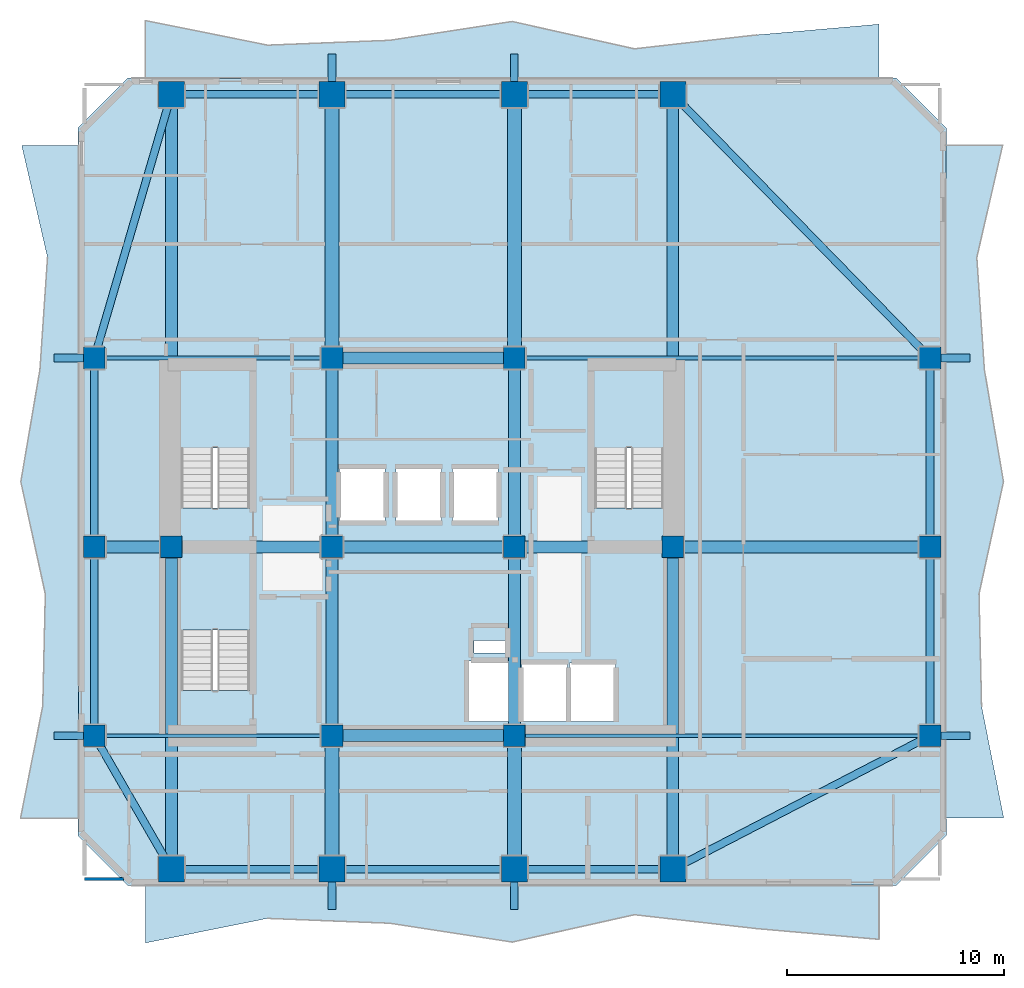
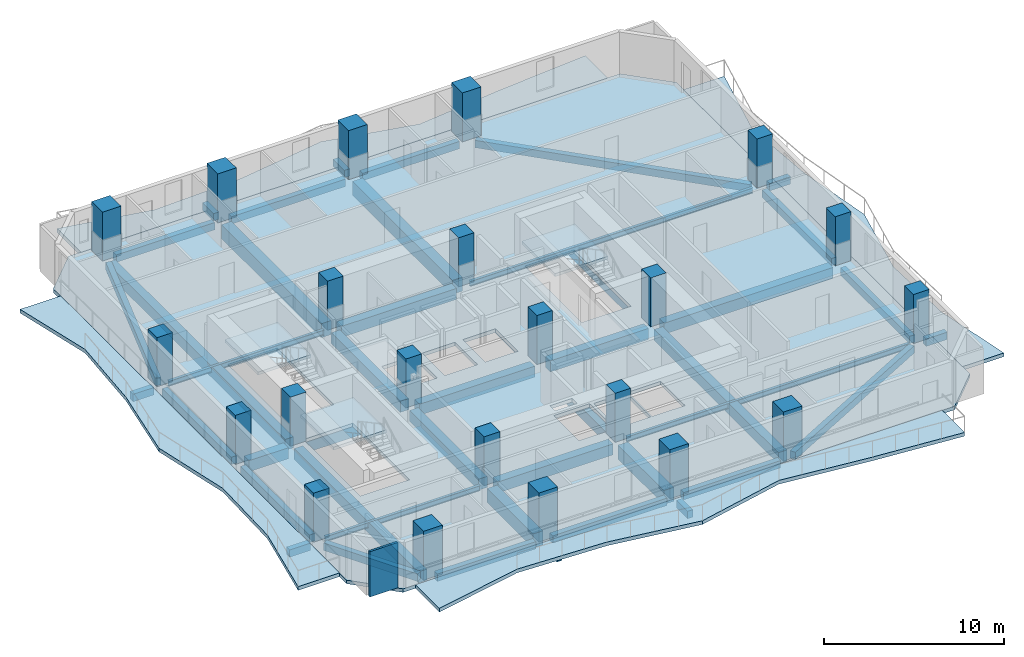
# One storey, part 1 of 9: 45 beams, 22 columns, 8 slabs, 1 wall, 3 elements without a shape of their own.
"""IFC4 building model written with IfcOpenShell, lengths in metres."""

from ifc_helpers import new_model, si_unit, direction, frame, frame_2d, origin, origin_2d, place, context, subcontext, project, spatial, polyline, rectangle, i_section, outline, extrude, material, layer, layer_set, material_profile, profile_set, type_object, element, aggregate, save


model = new_model("IFC4")

# Units and contexts
model_context = context("Model", 3, precision=1e-05, world=origin(), true_north=direction((0.0, 1.0)))
body_context = subcontext(model_context, "Body", "Model", "MODEL_VIEW")
ifc_project = project(units=[si_unit("LENGTHUNIT", "METRE"), si_unit("AREAUNIT", "SQUARE_METRE"), si_unit("VOLUMEUNIT", "CUBIC_METRE"), si_unit("PLANEANGLEUNIT", "RADIAN"), si_unit("MASSUNIT", "GRAM", prefix="KILO")], contexts=[model_context])

# Site, building, storey
site_placement = place(None, origin())
site = spatial("IfcSite", under=ifc_project, at=site_placement, CompositionType="ELEMENT")
building_placement = place(site_placement, origin())
building = spatial("IfcBuilding", under=site, at=building_placement, Name="Solanera Arch Residences", CompositionType="ELEMENT")
storey_placement = place(building_placement, frame((0.0, 0.0, 155.8798828125)))
storey = spatial("IfcBuildingStorey", under=building, at=storey_placement, Name="L45", CompositionType="ELEMENT", Elevation=155.8798828125)

# Columns
ifc_material_1 = material(Name="Concrete C55/67 (f'c = 60 MPa)", Category="concrete")
ifc_material_profile_1 = material_profile(ifc_material_1, rectangle(XDim=1.0, YDim=1.0, at=origin_2d()))
ifc_profile_set_1 = profile_set([ifc_material_profile_1], Name="Concrete C55/67 (f'c = 60 MPa)")
column_type_1 = type_object("IfcColumnType", Name="Structural Column RC-COL-1000X1000", PredefinedType="COLUMN", material=ifc_profile_set_1)
for number, where, z_axis, x_axis, name in (
    (1, (20.800048828125, 22.0, 0.0), (0.0, 0.0, 1.0), (1.0, 0.0, 0.0), "COL-L45-CB-SW"),
    (2, (29.199951171875, 22.0, 0.0), (0.0, 0.0, 1.0), (1.0, 0.0, 0.0), "COL-L45-CB-SE"),
    (3, (20.800048828125, 39.39990234375, 0.0), (0.0, 0.0, 1.0), (1.0, 0.0, 0.0), "COL-L45-CB-NW"),
    (4, (29.199951171875, 39.39990234375, 0.0), (0.0, 0.0, 1.0), (1.0, 0.0, 0.0), "COL-L45-CB-NE"),
    (5, (13.39990234375, 30.699951171875, 0.0), (0.0, 0.0, 1.0), (1.0, 0.0, 0.0), "COL-L45-CB-WW"),
    (6, (36.5, 30.699951171875, 0.0), (0.0, 0.0, 1.0), (1.0, 0.0, 0.0), "COL-L45-CB-EE"),
    (7, (20.800048828125, 30.699951171875, 0.0), (0.0, 0.0, 1.0), (1.0, 0.0, 0.0), "COL-L45-CORE-W"),
    (8, (29.199951171875, 30.699951171875, 0.0), (0.0, 0.0, 1.0), (1.0, 0.0, 0.0), "COL-L45-CORE-E"),
    (9, (9.85009765625, 22.0, 0.0), (0.0, 0.0, 1.0), (1.0, 0.0, 0.0), "COL-L45-TWR-09"),
    (10, (48.35009765625, 22.0, 0.0), (0.0, 0.0, 1.0), (1.0, 0.0, 0.0), "COL-L45-TWR-10"),
    (11, (9.85009765625, 30.699951171875, 0.0), (0.0, 0.0, 1.0), (1.0, 0.0, 0.0), "COL-L45-TWR-11"),
    (12, (48.35009765625, 30.699951171875, 0.0), (0.0, 0.0, 1.0), (1.0, 0.0, 0.0), "COL-L45-TWR-12"),
    (13, (9.85009765625, 39.39990234375, 0.0), (0.0, 0.0, 1.0), (1.0, 0.0, 0.0), "COL-L45-TWR-13"),
    (14, (48.35009765625, 39.39990234375, 0.0), (0.0, 0.0, 1.0), (1.0, 0.0, 0.0), "COL-L45-TWR-14"),
):
    element("IfcColumn", number, at=place(storey_placement, frame(where, z_axis=z_axis, x_axis=x_axis)), inside=storey, type_object=column_type_1, Name=name, PredefinedType="COLUMN", context=body_context, shape_type="SweptSolid", body=[
        extrude(rectangle(XDim=1.0, YDim=1.0, at=origin_2d()), origin(), (0.0, 0.0, 1.0), 3.320068359375),
    ])
ifc_material_2 = material(Name="Concrete C55/67 (f'c = 60 MPa)", Category="concrete")
ifc_material_profile_2 = material_profile(ifc_material_2, rectangle(XDim=1.199951171875, YDim=1.199951171875, at=origin_2d()))
ifc_profile_set_2 = profile_set([ifc_material_profile_2], Name="Concrete C55/67 (f'c = 60 MPa)")
column_type_2 = type_object("IfcColumnType", Name="Structural Column RC-COL-1200X1200", PredefinedType="COLUMN", material=ifc_profile_set_2)
for number, where, z_axis, x_axis, name in (
    (15, (13.39990234375, 15.85009765625, 0.0), (0.0, 0.0, 1.0), (1.0, 0.0, 0.0), "COL-L45-TWR-01"),
    (16, (13.39990234375, 51.550048828125, 0.0), (0.0, 0.0, 1.0), (1.0, 0.0, 0.0), "COL-L45-TWR-02"),
    (17, (20.800048828125, 15.85009765625, 0.0), (0.0, 0.0, 1.0), (1.0, 0.0, 0.0), "COL-L45-TWR-03"),
    (18, (20.800048828125, 51.550048828125, 0.0), (0.0, 0.0, 1.0), (1.0, 0.0, 0.0), "COL-L45-TWR-04"),
    (19, (29.199951171875, 15.85009765625, 0.0), (0.0, 0.0, 1.0), (1.0, 0.0, 0.0), "COL-L45-TWR-05"),
    (20, (29.199951171875, 51.550048828125, 0.0), (0.0, 0.0, 1.0), (1.0, 0.0, 0.0), "COL-L45-TWR-06"),
    (21, (36.5, 15.85009765625, 0.0), (0.0, 0.0, 1.0), (1.0, 0.0, 0.0), "COL-L45-TWR-07"),
    (22, (36.5, 51.550048828125, 0.0), (0.0, 0.0, 1.0), (1.0, 0.0, 0.0), "COL-L45-TWR-08"),
):
    element("IfcColumn", number, at=place(storey_placement, frame(where, z_axis=z_axis, x_axis=x_axis)), inside=storey, type_object=column_type_2, Name=name, PredefinedType="COLUMN", context=body_context, shape_type="SweptSolid", body=[
        extrude(rectangle(XDim=1.199951171875, YDim=1.199951171875, at=origin_2d()), origin(), (0.0, 0.0, 1.0), 3.320068359375),
    ])

# Beams
ifc_material_3 = material(Name="Concrete C40/50 (f'c = 45 MPa)", Category="concrete")
ifc_material_profile_3 = material_profile(ifc_material_3, rectangle(XDim=0.35009765625, YDim=0.5, at=origin_2d()))
ifc_profile_set_3 = profile_set([ifc_material_profile_3], Name="Concrete C40/50 (f'c = 45 MPa)")
beam_type_1 = type_object("IfcBeamType", Name="BM-BALC-RIB", PredefinedType="BEAM", material=ifc_profile_set_3)
for number, where, z_axis, x_axis, name in (
    (23, (20.800048828125, 14.0, -0.5), (0.0, 1.0, 0.0), (-1.0, 0.0, 0.0), "BM-L45-BRIB-S1"),
    (24, (29.199951171875, 14.0, -0.5), (0.0, 1.0, 0.0), (-1.0, 0.0, 0.0), "BM-L45-BRIB-S2"),
    (25, (20.800048828125, 52.14990234375, -0.5), (0.0, 1.0, 0.0), (-1.0, 0.0, 0.0), "BM-L45-BRIB-N1"),
    (26, (29.199951171875, 52.14990234375, -0.5), (0.0, 1.0, 0.0), (-1.0, 0.0, 0.0), "BM-L45-BRIB-N2"),
):
    element("IfcBeam", number, at=place(storey_placement, frame(where, z_axis=z_axis, x_axis=x_axis)), inside=storey, type_object=beam_type_1, Name=name, PredefinedType="BEAM", context=body_context, shape_type="SweptSolid", body=[
        extrude(rectangle(XDim=0.35009765625, YDim=0.5, at=origin_2d()), origin(), (0.0, 0.0, 1.0), 1.25),
    ])
for number, where, z_axis, x_axis, name in (
    (27, (48.85009765625, 22.0, -0.5), (1.0, 0.0, 0.0), (0.0, 1.0, 0.0), "BM-L45-BRIB-E1"),
    (28, (48.85009765625, 39.39990234375, -0.5), (1.0, 0.0, 0.0), (0.0, 1.0, 0.0), "BM-L45-BRIB-E2"),
):
    element("IfcBeam", number, at=place(storey_placement, frame(where, z_axis=z_axis, x_axis=x_axis)), inside=storey, type_object=beam_type_1, Name=name, PredefinedType="BEAM", context=body_context, shape_type="SweptSolid", body=[
        extrude(rectangle(XDim=0.35009765625, YDim=0.5, at=origin_2d()), origin(), (0.0, 0.0, 1.0), 1.349853515625),
    ])
for number, where, z_axis, x_axis, name in (
    (29, (8.0, 22.0, -0.5), (1.0, 0.0, 0.0), (0.0, 1.0, 0.0), "BM-L45-BRIB-W1"),
    (30, (8.0, 39.39990234375, -0.5), (1.0, 0.0, 0.0), (0.0, 1.0, 0.0), "BM-L45-BRIB-W2"),
):
    element("IfcBeam", number, at=place(storey_placement, frame(where, z_axis=z_axis, x_axis=x_axis)), inside=storey, type_object=beam_type_1, Name=name, PredefinedType="BEAM", context=body_context, shape_type="SweptSolid", body=[
        extrude(rectangle(XDim=0.35009765625, YDim=0.5, at=origin_2d()), origin(), (0.0, 0.0, 1.0), 1.35009765625),
    ])
ifc_material_4 = material(Name="Concrete C40/50 (f'c = 45 MPa)", Category="concrete")
ifc_material_profile_4 = material_profile(ifc_material_4, rectangle(XDim=0.550048828125, YDim=0.75, at=origin_2d()))
ifc_profile_set_4 = profile_set([ifc_material_profile_4], Name="Concrete C40/50 (f'c = 45 MPa)")
beam_type_2 = type_object("IfcBeamType", Name="Primary Beam RC-BM-550X750", PredefinedType="BEAM", material=ifc_profile_set_4)
beam_1_placement = place(storey_placement, frame((20.800048828125, 22.50390625, -0.614990234375), z_axis=(0.0, 1.0, 0.0), x_axis=(-1.0, 0.0, 0.0)))
element("IfcBeam", 31, at=beam_1_placement, inside=storey, type_object=beam_type_2, Name="BM-L45-CC-S-208", PredefinedType="BEAM", context=body_context, shape_type="SweptSolid", body=[
    extrude(rectangle(XDim=0.550048828125, YDim=0.75, at=origin_2d()), origin(), (0.0, 0.0, 1.0), 7.692138671875),
])
beam_2_placement = place(storey_placement, frame((20.800048828125, 31.2041015625, -0.614990234375), z_axis=(0.0, 1.0, 0.0), x_axis=(-1.0, 0.0, 0.0)))
element("IfcBeam", 32, at=beam_2_placement, inside=storey, type_object=beam_type_2, Name="BM-L45-CC-N-208", PredefinedType="BEAM", context=body_context, shape_type="SweptSolid", body=[
    extrude(rectangle(XDim=0.550048828125, YDim=0.75, at=origin_2d()), origin(), (0.0, 0.0, 1.0), 7.69189453125),
])
beam_3_placement = place(storey_placement, frame((29.199951171875, 22.50390625, -0.614990234375), z_axis=(0.0, 1.0, 0.0), x_axis=(-1.0, 0.0, 0.0)))
element("IfcBeam", 33, at=beam_3_placement, inside=storey, type_object=beam_type_2, Name="BM-L45-CC-S-292", PredefinedType="BEAM", context=body_context, shape_type="SweptSolid", body=[
    extrude(rectangle(XDim=0.550048828125, YDim=0.75, at=origin_2d()), origin(), (0.0, 0.0, 1.0), 7.692138671875),
])
beam_4_placement = place(storey_placement, frame((29.199951171875, 31.2041015625, -0.614990234375), z_axis=(0.0, 1.0, 0.0), x_axis=(-1.0, 0.0, 0.0)))
element("IfcBeam", 34, at=beam_4_placement, inside=storey, type_object=beam_type_2, Name="BM-L45-CC-N-292", PredefinedType="BEAM", context=body_context, shape_type="SweptSolid", body=[
    extrude(rectangle(XDim=0.550048828125, YDim=0.75, at=origin_2d()), origin(), (0.0, 0.0, 1.0), 7.69189453125),
])
for number, where, z_axis, x_axis, name in (
    (35, (21.303955078125, 22.0, -0.614990234375), (1.0, 0.0, 0.0), (0.0, 1.0, 0.0), "BM-L45-CC-M-220"),
    (36, (21.303955078125, 30.699951171875, -0.614990234375), (1.0, 0.0, 0.0), (0.0, 1.0, 0.0), "BM-L45-CC-M-307"),
    (37, (21.303955078125, 39.39990234375, -0.614990234375), (1.0, 0.0, 0.0), (0.0, 1.0, 0.0), "BM-L45-CC-M-394"),
):
    element("IfcBeam", number, at=place(storey_placement, frame(where, z_axis=z_axis, x_axis=x_axis)), inside=storey, type_object=beam_type_2, Name=name, PredefinedType="BEAM", context=body_context, shape_type="SweptSolid", body=[
        extrude(rectangle(XDim=0.550048828125, YDim=0.75, at=origin_2d()), origin(), (0.0, 0.0, 1.0), 7.39208984375),
    ])
beam_5_placement = place(storey_placement, frame((13.904052734375, 30.699951171875, -0.614990234375), z_axis=(1.0, 0.0, 0.0), x_axis=(0.0, 1.0, 0.0)))
element("IfcBeam", 38, at=beam_5_placement, inside=storey, type_object=beam_type_2, Name="BM-L45-CC-W", PredefinedType="BEAM", context=body_context, shape_type="SweptSolid", body=[
    extrude(rectangle(XDim=0.550048828125, YDim=0.75, at=origin_2d()), origin(), (0.0, 0.0, 1.0), 6.391845703125),
])
beam_6_placement = place(storey_placement, frame((29.7041015625, 30.699951171875, -0.614990234375), z_axis=(1.0, 0.0, 0.0), x_axis=(0.0, 1.0, 0.0)))
element("IfcBeam", 39, at=beam_6_placement, inside=storey, type_object=beam_type_2, Name="BM-L45-CC-E", PredefinedType="BEAM", context=body_context, shape_type="SweptSolid", body=[
    extrude(rectangle(XDim=0.550048828125, YDim=0.75, at=origin_2d()), origin(), (0.0, 0.0, 1.0), 6.2919921875),
])
beam_7_placement = place(storey_placement, frame((13.39990234375, 16.389892578125, -0.614990234375), z_axis=(0.0, 1.0, 0.0), x_axis=(-1.0, 0.0, 0.0)))
element("IfcBeam", 40, at=beam_7_placement, inside=storey, type_object=beam_type_2, Name="BM-L45-RAD-OS-134", PredefinedType="BEAM", context=body_context, shape_type="SweptSolid", body=[
    extrude(rectangle(XDim=0.550048828125, YDim=0.75, at=origin_2d()), origin(), (0.0, 0.0, 1.0), 13.80615234375),
])
beam_8_placement = place(storey_placement, frame((13.39990234375, 31.2041015625, -0.614990234375), z_axis=(0.0, 1.0, 0.0), x_axis=(-1.0, 0.0, 0.0)))
element("IfcBeam", 41, at=beam_8_placement, inside=storey, type_object=beam_type_2, Name="BM-L45-RAD-ON-134", PredefinedType="BEAM", context=body_context, shape_type="SweptSolid", body=[
    extrude(rectangle(XDim=0.550048828125, YDim=0.75, at=origin_2d()), origin(), (0.0, 0.0, 1.0), 19.805908203125),
])
beam_9_placement = place(storey_placement, frame((36.5, 16.389892578125, -0.614990234375), z_axis=(0.0, 1.0, 0.0), x_axis=(-1.0, 0.0, 0.0)))
element("IfcBeam", 42, at=beam_9_placement, inside=storey, type_object=beam_type_2, Name="BM-L45-RAD-OS-365", PredefinedType="BEAM", context=body_context, shape_type="SweptSolid", body=[
    extrude(rectangle(XDim=0.550048828125, YDim=0.75, at=origin_2d()), origin(), (0.0, 0.0, 1.0), 13.80615234375),
])
beam_10_placement = place(storey_placement, frame((36.5, 31.2041015625, -0.614990234375), z_axis=(0.0, 1.0, 0.0), x_axis=(-1.0, 0.0, 0.0)))
element("IfcBeam", 43, at=beam_10_placement, inside=storey, type_object=beam_type_2, Name="BM-L45-RAD-ON-365", PredefinedType="BEAM", context=body_context, shape_type="SweptSolid", body=[
    extrude(rectangle(XDim=0.550048828125, YDim=0.75, at=origin_2d()), origin(), (0.0, 0.0, 1.0), 19.805908203125),
])
beam_11_placement = place(storey_placement, frame((10.35400390625, 30.699951171875, -0.614990234375), z_axis=(1.0, 0.0, 0.0), x_axis=(0.0, 1.0, 0.0)))
element("IfcBeam", 44, at=beam_11_placement, inside=storey, type_object=beam_type_2, Name="BM-L45-RAD-MW", PredefinedType="BEAM", context=body_context, shape_type="SweptSolid", body=[
    extrude(rectangle(XDim=0.550048828125, YDim=0.75, at=origin_2d()), origin(), (0.0, 0.0, 1.0), 2.5419921875),
])
beam_12_placement = place(storey_placement, frame((37.00390625, 30.699951171875, -0.614990234375), z_axis=(1.0, 0.0, 0.0), x_axis=(0.0, 1.0, 0.0)))
element("IfcBeam", 45, at=beam_12_placement, inside=storey, type_object=beam_type_2, Name="BM-L45-RAD-ME", PredefinedType="BEAM", context=body_context, shape_type="SweptSolid", body=[
    extrude(rectangle(XDim=0.550048828125, YDim=0.75, at=origin_2d()), origin(), (0.0, 0.0, 1.0), 10.842041015625),
])
ifc_material_5 = material(Name="Concrete C40/50 (f'c = 45 MPa)", Category="concrete")
ifc_material_profile_5 = material_profile(ifc_material_5, rectangle(XDim=0.64990234375, YDim=0.949951171875, at=origin_2d()))
ifc_profile_set_5 = profile_set([ifc_material_profile_5], Name="Concrete C40/50 (f'c = 45 MPa)")
beam_type_3 = type_object("IfcBeamType", Name="Primary Beam RC-BM-650X950", PredefinedType="BEAM", material=ifc_profile_set_5)
beam_13_placement = place(storey_placement, frame((20.800048828125, 16.389892578125, -0.71484375), z_axis=(0.0, 1.0, 0.0), x_axis=(-1.0, 0.0, 0.0)))
element("IfcBeam", 46, at=beam_13_placement, inside=storey, type_object=beam_type_3, Name="BM-L45-RAD-S-208", PredefinedType="BEAM", context=body_context, shape_type="SweptSolid", body=[
    extrude(rectangle(XDim=0.64990234375, YDim=0.949951171875, at=origin_2d()), origin(), (0.0, 0.0, 1.0), 5.106201171875),
])
beam_14_placement = place(storey_placement, frame((20.800048828125, 39.904052734375, -0.71484375), z_axis=(0.0, 1.0, 0.0), x_axis=(-1.0, 0.0, 0.0)))
element("IfcBeam", 47, at=beam_14_placement, inside=storey, type_object=beam_type_3, Name="BM-L45-RAD-N-208", PredefinedType="BEAM", context=body_context, shape_type="SweptSolid", body=[
    extrude(rectangle(XDim=0.64990234375, YDim=0.949951171875, at=origin_2d()), origin(), (0.0, 0.0, 1.0), 11.10595703125),
])
beam_15_placement = place(storey_placement, frame((29.199951171875, 16.389892578125, -0.71484375), z_axis=(0.0, 1.0, 0.0), x_axis=(-1.0, 0.0, 0.0)))
element("IfcBeam", 48, at=beam_15_placement, inside=storey, type_object=beam_type_3, Name="BM-L45-RAD-S-292", PredefinedType="BEAM", context=body_context, shape_type="SweptSolid", body=[
    extrude(rectangle(XDim=0.64990234375, YDim=0.949951171875, at=origin_2d()), origin(), (0.0, 0.0, 1.0), 5.106201171875),
])
beam_16_placement = place(storey_placement, frame((29.199951171875, 39.904052734375, -0.71484375), z_axis=(0.0, 1.0, 0.0), x_axis=(-1.0, 0.0, 0.0)))
element("IfcBeam", 49, at=beam_16_placement, inside=storey, type_object=beam_type_3, Name="BM-L45-RAD-N-292", PredefinedType="BEAM", context=body_context, shape_type="SweptSolid", body=[
    extrude(rectangle(XDim=0.64990234375, YDim=0.949951171875, at=origin_2d()), origin(), (0.0, 0.0, 1.0), 11.10595703125),
])
ifc_material_6 = material(Name="Steel S355 (ASTM A992 / A572 Grade 50)", Category="steel")
ifc_material_profile_6 = material_profile(ifc_material_6, i_section(OverallWidth=0.172119140625, OverallDepth=0.35791015625, WebThickness=0.0078125, FlangeThickness=0.01318359375, at=origin_2d()))
ifc_profile_set_6 = profile_set([ifc_material_profile_6], Name="Steel S355 (ASTM A992 / A572 Grade 50)")
beam_type_4 = type_object("IfcBeamType", Name="Secondary Joist W360X57.8", PredefinedType="JOIST", material=ifc_profile_set_6)
beam_17_placement = place(storey_placement, frame((10.35400390625, 22.0, -0.4189453125), z_axis=(1.0, 0.0, 0.0), x_axis=(0.0, 1.0, 0.0)))
element("IfcBeam", 50, at=beam_17_placement, inside=storey, type_object=beam_type_4, Name="BM-L45-RAD-W-220", PredefinedType="JOIST", context=body_context, shape_type="SweptSolid", body=[
    extrude(i_section(OverallWidth=0.172119140625, OverallDepth=0.35791015625, WebThickness=0.0078125, FlangeThickness=0.01318359375, at=origin_2d()), origin(), (0.0, 0.0, 1.0), 9.94189453125),
])
beam_18_placement = place(storey_placement, frame((29.7041015625, 22.0, -0.4189453125), z_axis=(1.0, 0.0, 0.0), x_axis=(0.0, 1.0, 0.0)))
element("IfcBeam", 51, at=beam_18_placement, inside=storey, type_object=beam_type_4, Name="BM-L45-RAD-E-220", PredefinedType="JOIST", context=body_context, shape_type="SweptSolid", body=[
    extrude(i_section(OverallWidth=0.172119140625, OverallDepth=0.35791015625, WebThickness=0.0078125, FlangeThickness=0.01318359375, at=origin_2d()), origin(), (0.0, 0.0, 1.0), 18.141845703125),
])
beam_19_placement = place(storey_placement, frame((10.35400390625, 39.39990234375, -0.4189453125), z_axis=(1.0, 0.0, 0.0), x_axis=(0.0, 1.0, 0.0)))
element("IfcBeam", 52, at=beam_19_placement, inside=storey, type_object=beam_type_4, Name="BM-L45-RAD-W-394", PredefinedType="JOIST", context=body_context, shape_type="SweptSolid", body=[
    extrude(i_section(OverallWidth=0.172119140625, OverallDepth=0.35791015625, WebThickness=0.0078125, FlangeThickness=0.01318359375, at=origin_2d()), origin(), (0.0, 0.0, 1.0), 9.94189453125),
])
beam_20_placement = place(storey_placement, frame((29.7041015625, 39.39990234375, -0.4189453125), z_axis=(1.0, 0.0, 0.0), x_axis=(0.0, 1.0, 0.0)))
element("IfcBeam", 53, at=beam_20_placement, inside=storey, type_object=beam_type_4, Name="BM-L45-RAD-E-394", PredefinedType="JOIST", context=body_context, shape_type="SweptSolid", body=[
    extrude(i_section(OverallWidth=0.172119140625, OverallDepth=0.35791015625, WebThickness=0.0078125, FlangeThickness=0.01318359375, at=origin_2d()), origin(), (0.0, 0.0, 1.0), 18.141845703125),
])
ifc_material_7 = material(Name="Concrete C40/50 (f'c = 45 MPa)", Category="concrete")
ifc_material_profile_7 = material_profile(ifc_material_7, rectangle(XDim=0.35009765625, YDim=0.5, at=origin_2d()))
ifc_profile_set_7 = profile_set([ifc_material_profile_7], Name="Concrete C40/50 (f'c = 45 MPa)")
beam_type_5 = type_object("IfcBeamType", Name="Spandrel Beam RC-BM-350X500", PredefinedType="SPANDREL", material=ifc_profile_set_7)
for number, where, z_axis, x_axis, name in (
    (54, (13.93994140625, 15.85009765625, -0.489990234375), (1.0, 0.0, 0.0), (0.0, 1.0, 0.0), "BM-L45-SPN-S-1"),
    (55, (13.93994140625, 51.550048828125, -0.489990234375), (1.0, 0.0, 0.0), (0.0, 1.0, 0.0), "BM-L45-SPN-N-1"),
):
    element("IfcBeam", number, at=place(storey_placement, frame(where, z_axis=z_axis, x_axis=x_axis)), inside=storey, type_object=beam_type_5, Name=name, PredefinedType="SPANDREL", context=body_context, shape_type="SweptSolid", body=[
        extrude(rectangle(XDim=0.35009765625, YDim=0.5, at=origin_2d()), origin(), (0.0, 0.0, 1.0), 6.320068359375),
    ])
for number, where, z_axis, x_axis, name in (
    (56, (21.340087890625, 15.85009765625, -0.489990234375), (1.0, 0.0, 0.0), (0.0, 1.0, 0.0), "BM-L45-SPN-S-2"),
    (57, (21.340087890625, 51.550048828125, -0.489990234375), (1.0, 0.0, 0.0), (0.0, 1.0, 0.0), "BM-L45-SPN-N-2"),
):
    element("IfcBeam", number, at=place(storey_placement, frame(where, z_axis=z_axis, x_axis=x_axis)), inside=storey, type_object=beam_type_5, Name=name, PredefinedType="SPANDREL", context=body_context, shape_type="SweptSolid", body=[
        extrude(rectangle(XDim=0.35009765625, YDim=0.5, at=origin_2d()), origin(), (0.0, 0.0, 1.0), 7.31982421875),
    ])
for number, where, z_axis, x_axis, name in (
    (58, (29.739990234375, 15.85009765625, -0.489990234375), (1.0, 0.0, 0.0), (0.0, 1.0, 0.0), "BM-L45-SPN-S-3"),
    (59, (29.739990234375, 51.550048828125, -0.489990234375), (1.0, 0.0, 0.0), (0.0, 1.0, 0.0), "BM-L45-SPN-N-3"),
):
    element("IfcBeam", number, at=place(storey_placement, frame(where, z_axis=z_axis, x_axis=x_axis)), inside=storey, type_object=beam_type_5, Name=name, PredefinedType="SPANDREL", context=body_context, shape_type="SweptSolid", body=[
        extrude(rectangle(XDim=0.35009765625, YDim=0.5, at=origin_2d()), origin(), (0.0, 0.0, 1.0), 6.219970703125),
    ])
for number, where, z_axis, x_axis, name in (
    (60, (9.85009765625, 22.50390625, -0.489990234375), (0.0, 1.0, 0.0), (-1.0, 0.0, 0.0), "BM-L45-SPN-W-1"),
    (61, (48.35009765625, 22.50390625, -0.489990234375), (0.0, 1.0, 0.0), (-1.0, 0.0, 0.0), "BM-L45-SPN-E-1"),
):
    element("IfcBeam", number, at=place(storey_placement, frame(where, z_axis=z_axis, x_axis=x_axis)), inside=storey, type_object=beam_type_5, Name=name, PredefinedType="SPANDREL", context=body_context, shape_type="SweptSolid", body=[
        extrude(rectangle(XDim=0.35009765625, YDim=0.5, at=origin_2d()), origin(), (0.0, 0.0, 1.0), 7.692138671875),
    ])
for number, where, z_axis, x_axis, name in (
    (62, (9.85009765625, 31.2041015625, -0.489990234375), (0.0, 1.0, 0.0), (-1.0, 0.0, 0.0), "BM-L45-SPN-W-2"),
    (63, (48.35009765625, 31.2041015625, -0.489990234375), (0.0, 1.0, 0.0), (-1.0, 0.0, 0.0), "BM-L45-SPN-E-2"),
):
    element("IfcBeam", number, at=place(storey_placement, frame(where, z_axis=z_axis, x_axis=x_axis)), inside=storey, type_object=beam_type_5, Name=name, PredefinedType="SPANDREL", context=body_context, shape_type="SweptSolid", body=[
        extrude(rectangle(XDim=0.35009765625, YDim=0.5, at=origin_2d()), origin(), (0.0, 0.0, 1.0), 7.69189453125),
    ])
beam_21_placement = place(storey_placement, frame((13.1298828125, 16.318115234375, -0.489990234375), z_axis=(-0.499942442997, 0.866058631785, 0.0), x_axis=(-0.866058631785, -0.499942442997, 0.0)))
element("IfcBeam", 64, at=beam_21_placement, inside=storey, type_object=beam_type_5, Name="BM-L45-SPN-SW", PredefinedType="SPANDREL", context=body_context, shape_type="SweptSolid", body=[
    extrude(rectangle(XDim=0.35009765625, YDim=0.5, at=origin_2d()), origin(), (0.0, 0.0, 1.0), 6.020263671875),
])
beam_22_placement = place(storey_placement, frame((13.2490234375, 51.031982421875, -0.489990234375), z_axis=(-0.280501326348, -0.959853637758, 0.0), x_axis=(0.959853637758, -0.280501326348, 0.0)))
element("IfcBeam", 65, at=beam_22_placement, inside=storey, type_object=beam_type_5, Name="BM-L45-SPN-NW", PredefinedType="SPANDREL", context=body_context, shape_type="SweptSolid", body=[
    extrude(rectangle(XDim=0.35009765625, YDim=0.5, at=origin_2d()), origin(), (0.0, 0.0, 1.0), 11.59326171875),
])
beam_23_placement = place(storey_placement, frame((36.97900390625, 16.09912109375, -0.489990234375), z_axis=(0.887617783335, 0.460580797154, 0.0), x_axis=(-0.460580797154, 0.887617783335, 0.0)))
element("IfcBeam", 66, at=beam_23_placement, inside=storey, type_object=beam_type_5, Name="BM-L45-SPN-SE", PredefinedType="SPANDREL", context=body_context, shape_type="SweptSolid", body=[
    extrude(rectangle(XDim=0.35009765625, YDim=0.5, at=origin_2d()), origin(), (0.0, 0.0, 1.0), 12.271240234375),
])
beam_24_placement = place(storey_placement, frame((36.876953125, 51.1630859375, -0.489990234375), z_axis=(0.698241103512, -0.715862669349, 0.0), x_axis=(0.715862669349, 0.698241103512, 0.0)))
element("IfcBeam", 67, at=beam_24_placement, inside=storey, type_object=beam_type_5, Name="BM-L45-SPN-NE", PredefinedType="SPANDREL", context=body_context, shape_type="SweptSolid", body=[
    extrude(rectangle(XDim=0.35009765625, YDim=0.5, at=origin_2d()), origin(), (0.0, 0.0, 1.0), 15.891357421875),
])

# Slabs
ifc_material_8 = material(Name="Concrete C40/50 (f'c = 45 MPa)", Category="concrete")
ifc_layer_1 = layer(ifc_material_8, 0.25)
ifc_layer_set_1 = layer_set([ifc_layer_1], Name="Concrete C40/50 (f'c = 45 MPa)")
slab_type_1 = type_object("IfcSlabType", Name="Balcony Slab 250", PredefinedType="FLOOR", material=ifc_layer_set_1)
slab_1_placement = place(storey_placement, frame((0.0, 0.0, -0.25)))
element("IfcSlab", 68, at=slab_1_placement, inside=storey, type_object=slab_type_1, Name="L45 S Rippling Brise-Soleil Balcony Slab", PredefinedType="FLOOR", context=body_context, shape_type="SweptSolid", body=[
    extrude(outline(polyline([(12.199951171875, 12.449951171875), (17.8330078125, 13.5849609375), (23.467041015625, 13.362060546875), (29.10009765625, 12.493896484375), (34.73291015625, 13.7548828125), (40.366943359375, 13.114013671875), (46.0, 12.6201171875), (46.0, 15.1201171875), (12.199951171875, 15.1201171875), (12.199951171875, 12.449951171875)])), origin(), (0.0, 0.0, 1.0), 0.25),
])
slab_2_placement = place(storey_placement, frame((0.0, 0.0, -0.25)))
element("IfcSlab", 69, at=slab_2_placement, inside=storey, type_object=slab_type_1, Name="L45 N Rippling Brise-Soleil Balcony Slab", PredefinedType="FLOOR", context=body_context, shape_type="SweptSolid", body=[
    extrude(outline(polyline([(46.0, 54.780029296875), (40.366943359375, 54.285888671875), (34.73291015625, 53.64501953125), (29.10009765625, 54.906005859375), (23.467041015625, 54.0380859375), (17.8330078125, 53.81494140625), (12.199951171875, 54.949951171875), (12.199951171875, 52.280029296875), (46.0, 52.280029296875), (46.0, 54.780029296875)])), origin(), (0.0, 0.0, 1.0), 0.25),
])
slab_3_placement = place(storey_placement, frame((0.0, 0.0, -0.25)))
element("IfcSlab", 70, at=slab_3_placement, inside=storey, type_object=slab_type_1, Name="L45 E Rippling Brise-Soleil Balcony Slab", PredefinedType="FLOOR", context=body_context, shape_type="SweptSolid", body=[
    extrude(outline(polyline([(51.75, 18.199951171875), (50.72607421875, 23.366943359375), (50.60791015625, 28.532958984375), (51.736083984375, 33.699951171875), (50.85595703125, 38.866943359375), (50.506103515625, 44.032958984375), (51.696044921875, 49.199951171875), (49.080078125, 49.199951171875), (49.080078125, 18.199951171875), (51.75, 18.199951171875)])), origin(), (0.0, 0.0, 1.0), 0.25),
])
slab_4_placement = place(storey_placement, frame((0.0, 0.0, -0.25)))
element("IfcSlab", 71, at=slab_4_placement, inside=storey, type_object=slab_type_1, Name="L45 W Rippling Brise-Soleil Balcony Slab", PredefinedType="FLOOR", context=body_context, shape_type="SweptSolid", body=[
    extrude(outline(polyline([(6.50390625, 49.199951171875), (7.694091796875, 44.032958984375), (7.343994140625, 38.866943359375), (6.464111328125, 33.699951171875), (7.592041015625, 28.532958984375), (7.47412109375, 23.366943359375), (6.449951171875, 18.199951171875), (9.1201171875, 18.199951171875), (9.1201171875, 49.199951171875), (6.50390625, 49.199951171875)])), origin(), (0.0, 0.0, 1.0), 0.25),
])

# Stair, slab
ifc_material_9 = material(Name="Concrete C40/50 (f'c = 45 MPa)", Category="concrete")
stair_type = type_object("IfcStairType", Name="Tower Dogleg Exit Stair 1480", PredefinedType="HALF_TURN_STAIR", material=ifc_material_9)
stair_1_placement = place(storey_placement, origin())
stair_1 = element("IfcStair", 72, at=stair_1_placement, inside=storey, type_object=stair_type, Name="L45 Tower Core Exit Stair 1", PredefinedType="HALF_TURN_STAIR")
ifc_material_10 = material(Name="Concrete C40/50 (f'c = 45 MPa)", Category="concrete")
ifc_layer_2 = layer(ifc_material_10, 0.199951171875)
ifc_layer_set_2 = layer_set([ifc_layer_2], Name="Concrete C40/50 (f'c = 45 MPa)")
slab_type_2 = type_object("IfcSlabType", Name="Stair Half-Landing Slab 200", PredefinedType="LANDING", material=ifc_layer_set_2)
slab_5_placement = place(storey_placement, frame((0.0, 0.0, 1.460205078125)))
slab_5 = element("IfcSlab", 73, at=slab_5_placement, type_object=slab_type_2, Name="ST-T1 landing 1", PredefinedType="LANDING", context=body_context, shape_type="SweptSolid", body=[
    extrude(outline(polyline([(17.1201171875, 35.260009765625), (17.1201171875, 38.919921875), (13.719970703125, 38.919921875), (13.719970703125, 35.260009765625), (17.1201171875, 35.260009765625)])), origin(), (0.0, 0.0, 1.0), 0.199951171875),
])
aggregate(stair_1, [slab_5])

stair_2_placement = place(storey_placement, origin())
stair_2 = element("IfcStair", 74, at=stair_2_placement, inside=storey, type_object=stair_type, Name="L45 Tower Core Exit Stair 2", PredefinedType="HALF_TURN_STAIR")
slab_6_placement = place(storey_placement, frame((0.0, 0.0, 1.460205078125)))
slab_6 = element("IfcSlab", 75, at=slab_6_placement, type_object=slab_type_2, Name="ST-T2 landing 1", PredefinedType="LANDING", context=body_context, shape_type="SweptSolid", body=[
    extrude(outline(polyline([(36.179931640625, 35.260009765625), (36.179931640625, 38.919921875), (32.780029296875, 38.919921875), (32.780029296875, 35.260009765625), (36.179931640625, 35.260009765625)])), origin(), (0.0, 0.0, 1.0), 0.199951171875),
])
aggregate(stair_2, [slab_6])

stair_3_placement = place(storey_placement, origin())
stair_3 = element("IfcStair", 76, at=stair_3_placement, inside=storey, type_object=stair_type, Name="L45 Tower Core Exit Stair 3", PredefinedType="HALF_TURN_STAIR")
slab_7_placement = place(storey_placement, frame((0.0, 0.0, 1.460205078125)))
slab_7 = element("IfcSlab", 77, at=slab_7_placement, type_object=slab_type_2, Name="ST-T3 landing 1", PredefinedType="LANDING", context=body_context, shape_type="SweptSolid", body=[
    extrude(outline(polyline([(17.1201171875, 26.860107421875), (17.1201171875, 30.52001953125), (13.719970703125, 30.52001953125), (13.719970703125, 26.860107421875), (17.1201171875, 26.860107421875)])), origin(), (0.0, 0.0, 1.0), 0.199951171875),
])
aggregate(stair_3, [slab_7])

# Slab
ifc_material_11 = material(Name="Concrete C40/50 (f'c = 45 MPa)", Category="concrete")
ifc_layer_3 = layer(ifc_material_11, 0.239990234375)
ifc_layer_set_3 = layer_set([ifc_layer_3], Name="Concrete C40/50 (f'c = 45 MPa)")
slab_type_3 = type_object("IfcSlabType", Name="Suspended Floor Slab Post-Tensioned 240", PredefinedType="FLOOR", material=ifc_layer_set_3)
slab_8_placement = place(storey_placement, frame((0.0, 0.0, -0.239990234375)))
element("IfcSlab", 78, at=slab_8_placement, inside=storey, type_object=slab_type_3, Name="L45 Tower Post-Tensioned Floor Slab", PredefinedType="FLOOR", context=body_context, shape_type="SweptSolid", body=[
    extrude(outline(polyline([(11.39990234375, 15.10009765625), (46.800048828125, 15.10009765625), (49.10009765625, 17.39990234375), (49.10009765625, 50.0), (46.800048828125, 52.300048828125), (11.39990234375, 52.300048828125), (9.10009765625, 50.0), (9.10009765625, 17.39990234375), (11.39990234375, 15.10009765625)]), holes=[polyline([(13.840087890625, 32.48291015625), (13.840087890625, 38.800048828125), (17.0, 38.800048828125), (17.0, 32.48291015625), (13.840087890625, 32.48291015625)]), polyline([(32.89990234375, 32.48291015625), (32.89990234375, 38.800048828125), (36.06005859375, 38.800048828125), (36.06005859375, 32.48291015625), (32.89990234375, 32.48291015625)]), polyline([(13.840087890625, 24.0830078125), (13.840087890625, 30.39990234375), (17.0, 30.39990234375), (17.0, 24.0830078125), (13.840087890625, 24.0830078125)]), polyline([(21.14990234375, 34.35009765625), (23.25, 34.35009765625), (23.25, 31.85009765625), (21.14990234375, 31.85009765625), (21.14990234375, 34.35009765625)]), polyline([(23.75, 34.35009765625), (25.85009765625, 34.35009765625), (25.85009765625, 31.85009765625), (23.75, 31.85009765625), (23.75, 34.35009765625)]), polyline([(26.35009765625, 34.35009765625), (28.449951171875, 34.35009765625), (28.449951171875, 31.85009765625), (26.35009765625, 31.85009765625), (26.35009765625, 34.35009765625)]), polyline([(29.550048828125, 25.35009765625), (31.64990234375, 25.35009765625), (31.64990234375, 22.64990234375), (29.550048828125, 22.64990234375), (29.550048828125, 25.35009765625)]), polyline([(31.75, 25.35009765625), (33.85009765625, 25.35009765625), (33.85009765625, 22.64990234375), (31.75, 22.64990234375), (31.75, 25.35009765625)]), polyline([(27.050048828125, 25.449951171875), (29.35009765625, 25.449951171875), (29.35009765625, 22.64990234375), (27.050048828125, 22.64990234375), (27.050048828125, 25.449951171875)]), polyline([(27.340087890625, 26.3798828125), (28.760009765625, 26.3798828125), (28.760009765625, 25.820068359375), (27.340087890625, 25.820068359375), (27.340087890625, 26.3798828125)])]), origin(), (0.0, 0.0, 1.0), 0.239990234375),
])

# Wall
ifc_material_12 = material(Name="Autoclaved Aerated Concrete Blockwork", Category="masonry")
ifc_layer_4 = layer(ifc_material_12, 0.139892578125)
ifc_layer_set_4 = layer_set([ifc_layer_4], Name="Autoclaved Aerated Concrete Blockwork")
wall_type = type_object("IfcWallType", Name="Wet-Room Partition 140", PredefinedType="PARTITIONING", material=ifc_layer_set_4)
wall_placement = place(storey_placement, frame((9.39990234375, 15.39990234375, 0.0), z_axis=(0.0, 0.0, 1.0), x_axis=(1.0, 0.0, 0.0)))
element("IfcWall", 79, at=wall_placement, inside=storey, type_object=wall_type, Name="L45 Interior Partition H13 1", PredefinedType="PARTITIONING", context=body_context, shape_type="SweptSolid", body=[
    extrude(rectangle(XDim=1.795166015625, YDim=0.139892578125, at=frame_2d((0.8974609375, 0.0))), origin(), (0.0, 0.0, 1.0), 3.080078125),
])

save(model, "model.ifc")
